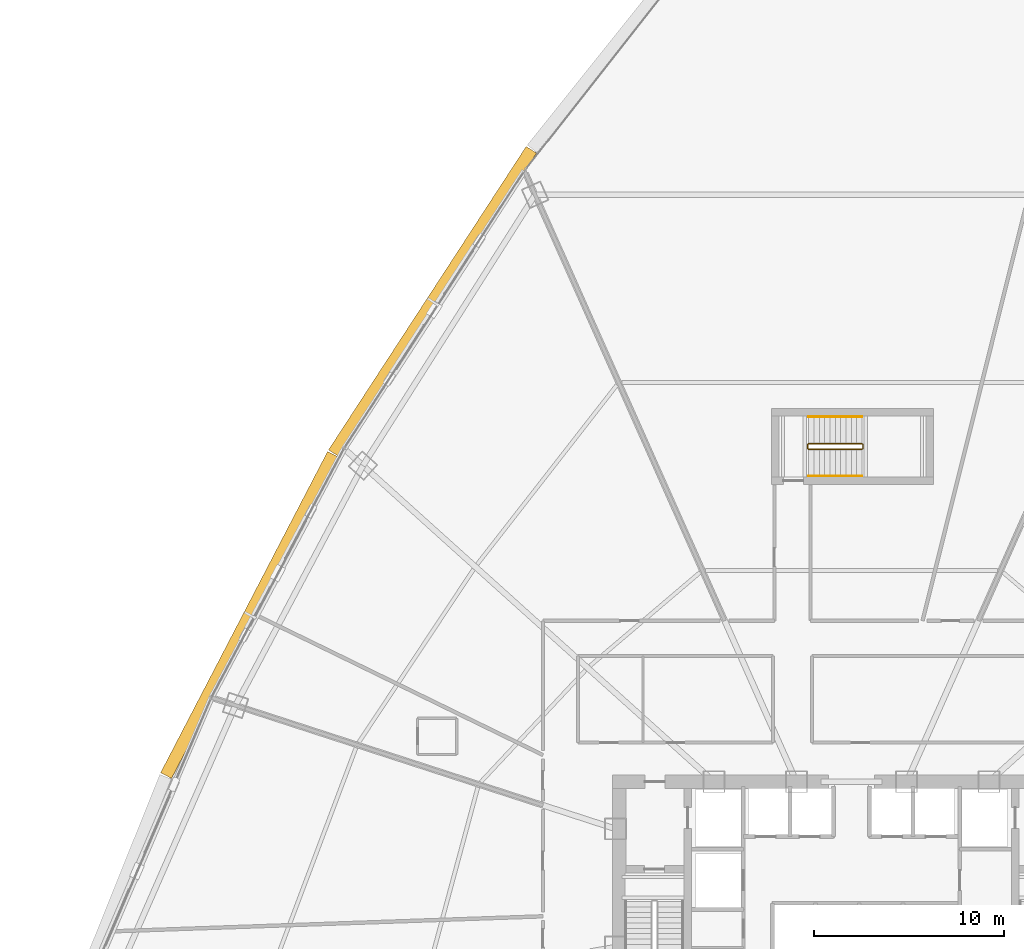
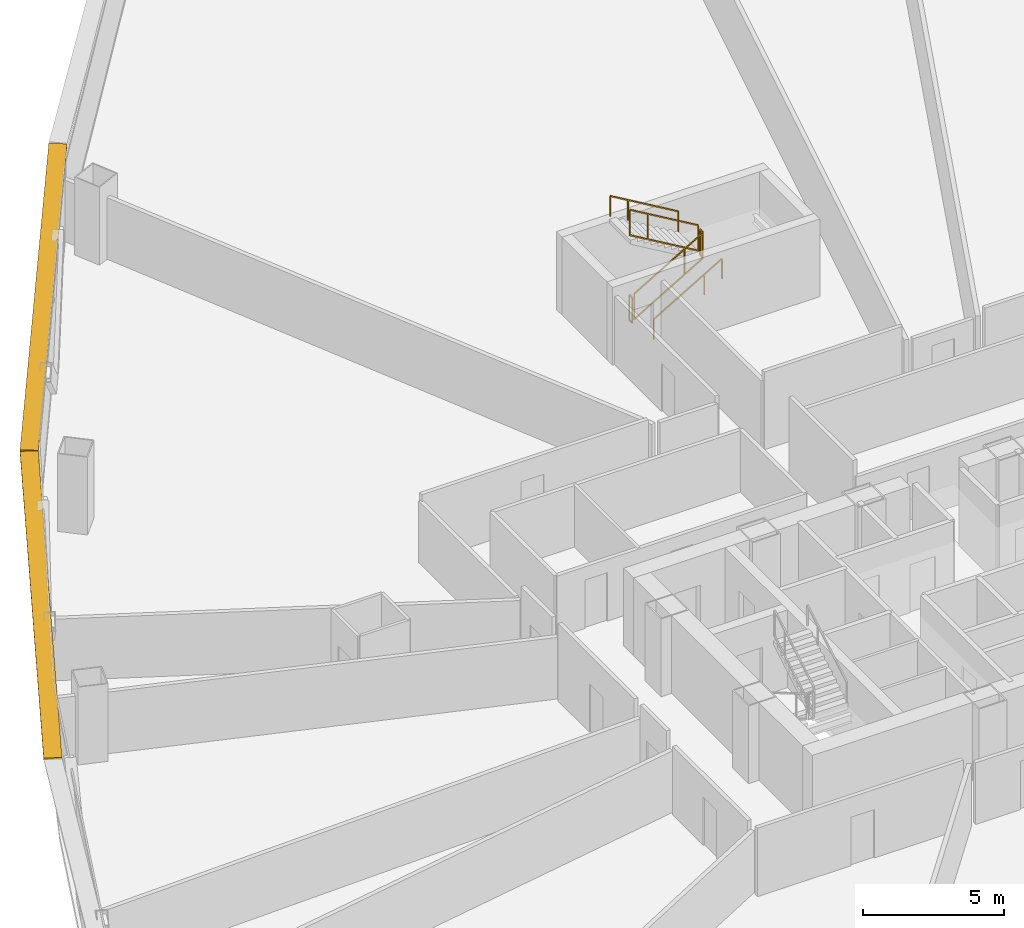
# One storey, part 36 of 37: 6 railings, 2 shading devices.
"""IFC4 building model written with IfcOpenShell, lengths in metres."""

from ifc_helpers import new_model, si_unit, direction, frame, origin, origin_2d, place, context, subcontext, project, spatial, rectangle, extrude, source, transform, mapped, material, layer, layer_set, type_object, element, save


model = new_model("IFC4")

# Units and contexts
model_context = context("Model", 3, precision=1e-05, world=origin(), true_north=direction((0.0, 1.0)))
body_context = subcontext(model_context, "Body", "Model", "MODEL_VIEW")
ifc_project = project(units=[si_unit("LENGTHUNIT", "METRE"), si_unit("AREAUNIT", "SQUARE_METRE"), si_unit("VOLUMEUNIT", "CUBIC_METRE"), si_unit("PLANEANGLEUNIT", "RADIAN"), si_unit("MASSUNIT", "GRAM", prefix="KILO"), si_unit("THERMODYNAMICTEMPERATUREUNIT", "KELVIN"), si_unit("POWERUNIT", "WATT")], contexts=[model_context])

# Site, building, storey
site_placement = place(None, origin())
site = spatial("IfcSite", under=ifc_project, at=site_placement, CompositionType="ELEMENT")
building_placement = place(site_placement, origin())
building = spatial("IfcBuilding", under=site, at=building_placement, Name="Yunzhuo Pagoda Commons", CompositionType="ELEMENT")
storey_placement = place(building_placement, frame((0.0, 0.0, 55.81005859375)))
storey = spatial("IfcBuildingStorey", under=building, at=storey_placement, Name="L14", CompositionType="ELEMENT", Elevation=55.81005859375)

# Railings
ifc_material = material(Name="Anodized aluminium 6063-T6", Category="aluminium")
railing_type_1 = type_object("IfcRailingType", Name="GR-ST3 North Well Guardrail 1155", PredefinedType="GUARDRAIL", material=ifc_material)
railing_1_placement = place(storey_placement, frame((45.75, 57.64990234375, 0.1650390625)))
element("IfcRailing", 1, at=railing_1_placement, inside=storey, type_object=railing_type_1, Name="L14 ST3 stair guard 1", PredefinedType="GUARDRAIL", context=body_context, shape_type="SweptSolid", body=[
    extrude(rectangle(XDim=0.048095703125, YDim=0.048095703125, at=origin_2d()), frame((0.0, 0.0, 1.1259765625), z_axis=(0.861555476484, 0.0, 0.507663432739), x_axis=(0.0, 1.0, 0.0)), (0.0, 0.0, 1.0), 3.25),
    extrude(rectangle(XDim=0.048095703125, YDim=0.048095703125, at=origin_2d()), frame((0.0, 0.0, 0.02392578125), z_axis=(0.861555476484, 0.0, 0.507663432739), x_axis=(0.0, 1.0, 0.0)), (0.0, 0.0, 1.0), 3.25),
    extrude(rectangle(XDim=0.0419921875, YDim=0.0419921875, at=origin_2d()), origin(), (0.0, 0.0, 1.0), 1.101806640625),
    extrude(rectangle(XDim=0.0419921875, YDim=0.0419921875, at=origin_2d()), frame((2.067626953125, 0.0, 1.218505859375)), (0.0, 0.0, 1.0), 1.101806640625),
    extrude(rectangle(XDim=0.0419921875, YDim=0.0419921875, at=origin_2d()), frame((2.800048828125, 0.0, 1.64990234375)), (0.0, 0.0, 1.0), 1.101806640625),
])
railing_2_placement = place(storey_placement, frame((48.60009765625, 57.699951171875, 1.81494140625)))
element("IfcRailing", 2, at=railing_2_placement, inside=storey, type_object=railing_type_1, Name="L14 ST3 stair guard 2", PredefinedType="GUARDRAIL", context=body_context, shape_type="SweptSolid", body=[
    extrude(rectangle(XDim=0.048095703125, YDim=0.048095703125, at=origin_2d()), frame((0.0, 0.0, 1.1259765625), z_axis=(0.0, 1.0, 0.0), x_axis=(-1.0, 0.0, 0.0)), (0.0, 0.0, 1.0), 0.199951171875),
    extrude(rectangle(XDim=0.048095703125, YDim=0.048095703125, at=origin_2d()), frame((0.0, 0.0, 0.02392578125), z_axis=(0.0, 1.0, 0.0), x_axis=(-1.0, 0.0, 0.0)), (0.0, 0.0, 1.0), 0.199951171875),
    extrude(rectangle(XDim=0.0419921875, YDim=0.0419921875, at=origin_2d()), origin(), (0.0, 0.0, 1.0), 1.101806640625),
    extrude(rectangle(XDim=0.0419921875, YDim=0.0419921875, at=origin_2d()), frame((0.0, 0.199951171875, 0.0)), (0.0, 0.0, 1.0), 1.101806640625),
])
railing_3_placement = place(storey_placement, frame((48.550048828125, 57.949951171875, 1.97998046875)))
element("IfcRailing", 3, at=railing_3_placement, inside=storey, type_object=railing_type_1, Name="L14 ST3 stair guard 3", PredefinedType="GUARDRAIL", context=body_context, shape_type="SweptSolid", body=[
    extrude(rectangle(XDim=0.048095703125, YDim=0.048095703125, at=origin_2d()), frame((0.0, 0.0, 1.1259765625), z_axis=(-0.861555476484, 0.0, 0.507663432739), x_axis=(0.0, -1.0, 0.0)), (0.0, 0.0, 1.0), 3.25),
    extrude(rectangle(XDim=0.048095703125, YDim=0.048095703125, at=origin_2d()), frame((0.0, 0.0, 0.02392578125), z_axis=(-0.861555476484, 0.0, 0.507663432739), x_axis=(0.0, -1.0, 0.0)), (0.0, 0.0, 1.0), 3.25),
    extrude(rectangle(XDim=0.0419921875, YDim=0.0419921875, at=origin_2d()), origin(), (0.0, 0.0, 1.0), 1.101806640625),
    extrude(rectangle(XDim=0.0419921875, YDim=0.0419921875, at=origin_2d()), frame((-2.067626953125, 0.0, 1.218505859375)), (0.0, 0.0, 1.0), 1.101806640625),
    extrude(rectangle(XDim=0.0419921875, YDim=0.0419921875, at=origin_2d()), frame((-2.800048828125, 0.0, 1.64990234375)), (0.0, 0.0, 1.0), 1.101806640625),
])
railing_4_placement = place(storey_placement, frame((45.699951171875, 57.699951171875, 0.0)))
element("IfcRailing", 4, at=railing_4_placement, inside=storey, type_object=railing_type_1, Name="L14 ST3 stair guard 4", PredefinedType="GUARDRAIL", context=body_context, shape_type="SweptSolid", body=[
    extrude(rectangle(XDim=0.048095703125, YDim=0.048095703125, at=origin_2d()), frame((0.0, 0.0, 1.1259765625), z_axis=(0.0, 1.0, 0.0), x_axis=(-1.0, 0.0, 0.0)), (0.0, 0.0, 1.0), 0.199951171875),
    extrude(rectangle(XDim=0.048095703125, YDim=0.048095703125, at=origin_2d()), frame((0.0, 0.0, 0.02392578125), z_axis=(0.0, 1.0, 0.0), x_axis=(-1.0, 0.0, 0.0)), (0.0, 0.0, 1.0), 0.199951171875),
    extrude(rectangle(XDim=0.0419921875, YDim=0.0419921875, at=origin_2d()), origin(), (0.0, 0.0, 1.0), 1.101806640625),
    extrude(rectangle(XDim=0.0419921875, YDim=0.0419921875, at=origin_2d()), frame((0.0, 0.199951171875, 0.0)), (0.0, 0.0, 1.0), 1.101806640625),
])
railing_type_2 = type_object("IfcRailingType", Name="HR-ST3 North Stair Handrail 900", PredefinedType="HANDRAIL", material=ifc_material)
railing_5_placement = place(storey_placement, frame((45.75, 56.25, 0.1650390625)))
element("IfcRailing", 5, at=railing_5_placement, inside=storey, type_object=railing_type_2, Name="L14 ST3 stair handrail 1", PredefinedType="HANDRAIL", context=body_context, shape_type="SweptSolid", body=[
    extrude(rectangle(XDim=0.048095703125, YDim=0.048095703125, at=origin_2d()), frame((0.0, 0.0, 0.8759765625), z_axis=(0.861555476484, 0.0, 0.507663432739), x_axis=(0.0, 1.0, 0.0)), (0.0, 0.0, 1.0), 3.25),
    extrude(rectangle(XDim=0.0419921875, YDim=0.0419921875, at=origin_2d()), origin(), (0.0, 0.0, 1.0), 0.851806640625),
    extrude(rectangle(XDim=0.0419921875, YDim=0.0419921875, at=origin_2d()), frame((2.067626953125, 0.0, 1.218505859375)), (0.0, 0.0, 1.0), 0.851806640625),
    extrude(rectangle(XDim=0.0419921875, YDim=0.0419921875, at=origin_2d()), frame((2.800048828125, 0.0, 1.64990234375)), (0.0, 0.0, 1.0), 0.851806640625),
])
railing_6_placement = place(storey_placement, frame((48.550048828125, 59.35009765625, 1.97998046875)))
element("IfcRailing", 6, at=railing_6_placement, inside=storey, type_object=railing_type_2, Name="L14 ST3 stair handrail 2", PredefinedType="HANDRAIL", context=body_context, shape_type="SweptSolid", body=[
    extrude(rectangle(XDim=0.048095703125, YDim=0.048095703125, at=origin_2d()), frame((0.0, 0.0, 0.8759765625), z_axis=(-0.861555476484, 0.0, 0.507663432739), x_axis=(0.0, -1.0, 0.0)), (0.0, 0.0, 1.0), 3.25),
    extrude(rectangle(XDim=0.0419921875, YDim=0.0419921875, at=origin_2d()), origin(), (0.0, 0.0, 1.0), 0.851806640625),
    extrude(rectangle(XDim=0.0419921875, YDim=0.0419921875, at=origin_2d()), frame((-2.067626953125, 0.0, 1.218505859375)), (0.0, 0.0, 1.0), 0.851806640625),
    extrude(rectangle(XDim=0.0419921875, YDim=0.0419921875, at=origin_2d()), frame((-2.800048828125, 0.0, 1.64990234375)), (0.0, 0.0, 1.0), 0.851806640625),
])

# Shading devices
ifc_layer = layer(ifc_material, 0.080078125)
ifc_layer_set = layer_set([ifc_layer], Name="Anodized aluminium 6063-T6")
shading_device_type = type_object("IfcShadingDeviceType", Name="SH-SUN1 Pagoda Horizontal Sunshade Eave 650", PredefinedType="USERDEFINED", material=ifc_layer_set)
shared_shape = source(origin(), body_context, "Body", "SweptSolid", [
    extrude(rectangle(XDim=19.01123046875, YDim=0.64990234375, at=origin_2d()), origin(), (0.0, 0.0, 1.0), 0.080078125),
])
for number, where, z_axis, x_axis, name in (
    (7, (26.004638671875, 65.408447265625, 3.289794921875), (0.0, 0.0, 1.0), (-0.545838756973, -0.837890238269, 0.0), "L14 horizontal pagoda sunshade eave F3.2"),
    (8, (16.39990234375, 48.95458984375, 3.289794921875), (0.0, 0.0, 1.0), (-0.461206683033, -0.88729273384, 0.0), "L14 horizontal pagoda sunshade eave F3.3"),
):
    element("IfcShadingDevice", number, at=place(storey_placement, frame(where, z_axis=z_axis, x_axis=x_axis)), inside=storey, type_object=shading_device_type, Name=name, ObjectType="SUNSHADE", PredefinedType="USERDEFINED", context=body_context, shape_type="MappedRepresentation", body=[
        mapped(shared_shape, transform((0.0, 0.0, 0.0), scale=1.0)),
    ])

save(model, "model.ifc")
